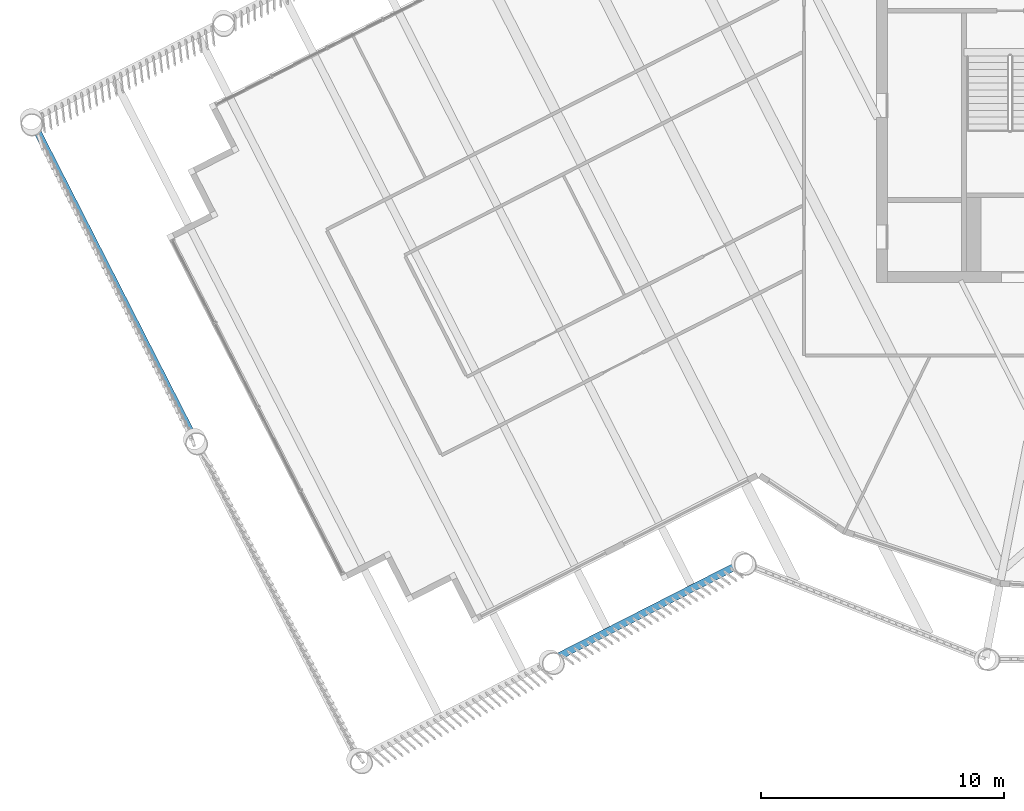
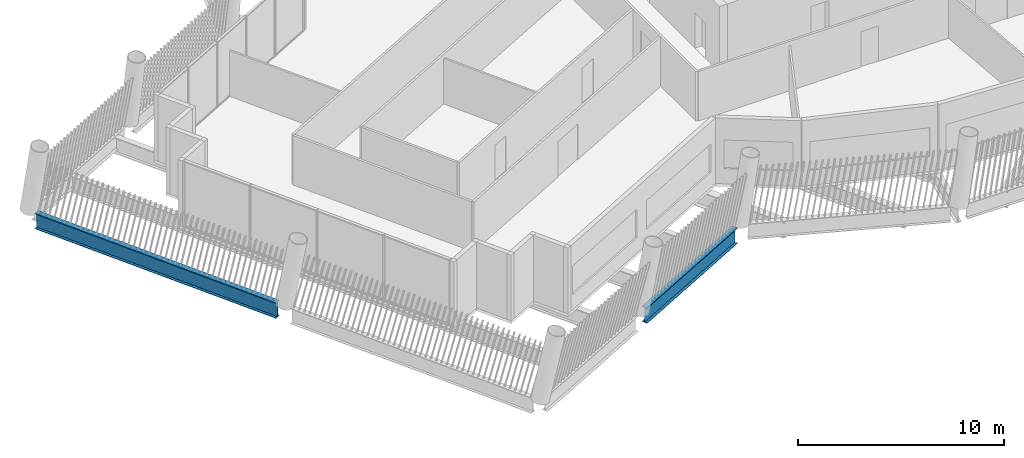
# One storey, part 3 of 28: 2 beams.
"""IFC4 building model written with IfcOpenShell, lengths in metres."""

from ifc_helpers import new_model, si_unit, direction, frame, origin, origin_2d, place, context, subcontext, project, spatial, i_section, extrude, material, material_profile, profile_set, type_object, element, save


model = new_model("IFC4")

# Units and contexts
model_context = context("Model", 3, precision=1e-05, world=origin(), true_north=direction((0.0, 1.0)))
body_context = subcontext(model_context, "Body", "Model", "MODEL_VIEW")
ifc_project = project(units=[si_unit("LENGTHUNIT", "METRE"), si_unit("AREAUNIT", "SQUARE_METRE"), si_unit("VOLUMEUNIT", "CUBIC_METRE"), si_unit("PLANEANGLEUNIT", "RADIAN"), si_unit("MASSUNIT", "GRAM", prefix="KILO")], contexts=[model_context])

# Site, building, storey
site_placement = place(None, origin())
site = spatial("IfcSite", under=ifc_project, at=site_placement, CompositionType="ELEMENT")
building_placement = place(site_placement, origin())
building = spatial("IfcBuilding", under=site, at=building_placement, Name="Tarsis Ring Headquarters", CompositionType="ELEMENT")
storey_placement = place(building_placement, frame((0.0, 0.0, 394.39990234375)))
storey = spatial("IfcBuildingStorey", under=building, at=storey_placement, Name="L93", CompositionType="ELEMENT", Elevation=394.39990234375)

# Beams
ifc_material = material(Name="Structural steel S355", Category="steel")
ifc_material_profile = material_profile(ifc_material, i_section(OverallWidth=0.3046875, OverallDepth=0.91943359375, WebThickness=0.017333984375, FlangeThickness=0.02783203125, at=origin_2d()), Name="W36x170")
ifc_profile_set = profile_set([ifc_material_profile], Name="Structural steel S355")
beam_type = type_object("IfcBeamType", Name="XG Ring girder W36x170", PredefinedType="BEAM", material=ifc_profile_set)
beam_1_placement = place(storey_placement, frame((-44.66259765625, -6.6416015625, -0.459716796875), z_axis=(0.454604406572, -0.890693456541, 0.0), x_axis=(0.890693456541, 0.454604406572, 0.0)))
element("IfcBeam", 1, at=beam_1_placement, inside=storey, type_object=beam_type, Name="Ring girder XG4", PredefinedType="BEAM", context=body_context, shape_type="SweptSolid", body=[
    extrude(i_section(OverallWidth=0.3046875, OverallDepth=0.91943359375, WebThickness=0.017333984375, FlangeThickness=0.02783203125, at=origin_2d()), origin(), (0.0, 0.0, 1.0), 13.97705078125),
])
beam_2_placement = place(storey_placement, frame((-23.09765625, -28.405517578125, -0.459716796875), z_axis=(0.890685714753, 0.454619574517, 0.0), x_axis=(-0.454619574517, 0.890685714753, 0.0)))
element("IfcBeam", 2, at=beam_2_placement, inside=storey, type_object=beam_type, Name="Ring girder XG4", PredefinedType="BEAM", context=body_context, shape_type="SweptSolid", body=[
    extrude(i_section(OverallWidth=0.3046875, OverallDepth=0.91943359375, WebThickness=0.017333984375, FlangeThickness=0.02783203125, at=origin_2d()), origin(), (0.0, 0.0, 1.0), 8.07958984375),
])

save(model, "model.ifc")
